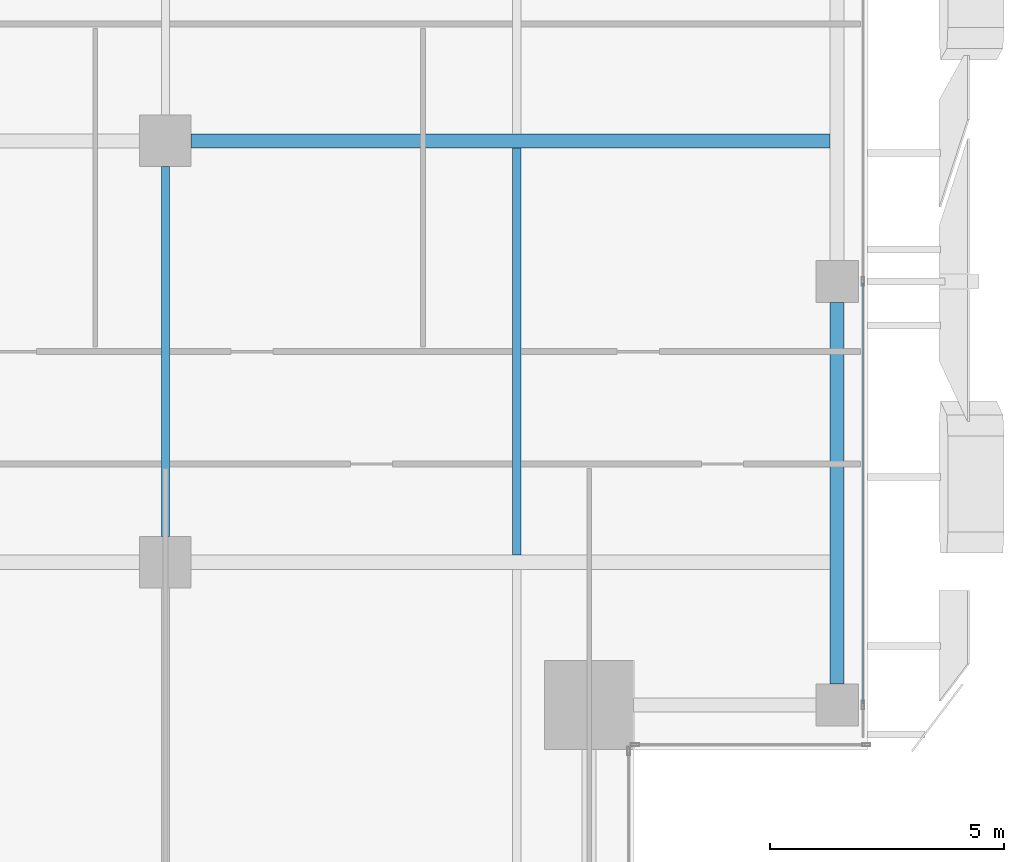
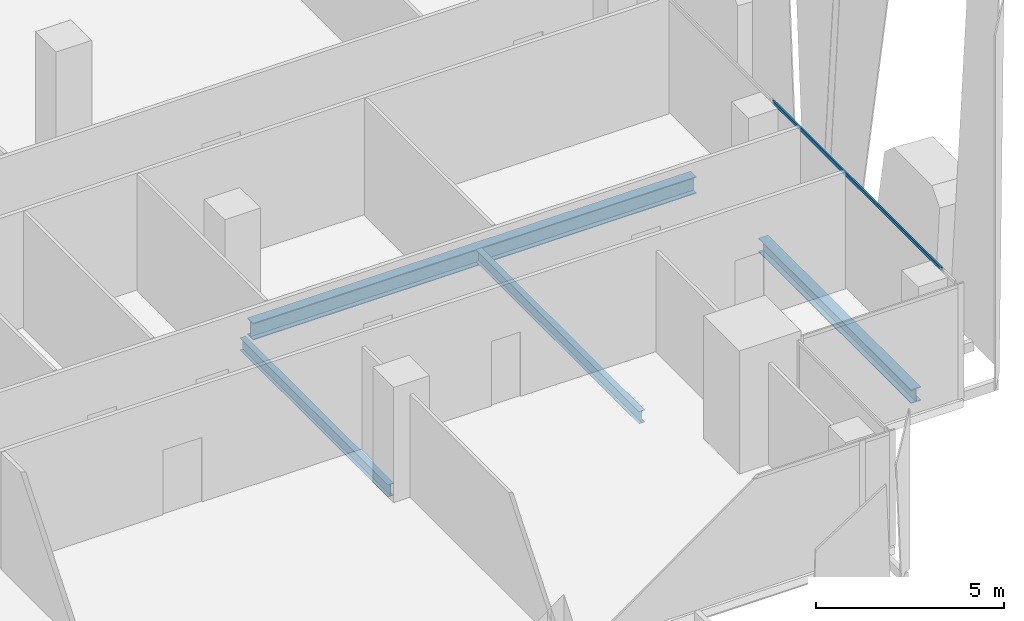
# One storey, part 10 of 33: 4 beams, 1 member, 1 element without a shape of its own.
"""IFC4 building model written with IfcOpenShell, lengths in metres."""

import ifcopenshell
import ifcopenshell.guid

model = None  # the IFC model being written
_history = None  # IfcOwnerHistory: only IFC2X3 demands one
_inside = {}  # id of a spatial element -> (the spatial element, [elements in it])
_under = {}  # id of a project, library or spatial element -> (it, [spatial elements below it])
_declared = {}  # id of a project -> (the project, [libraries it declares])
_typed = {}  # id of a type object -> (the type object, [elements of that type])
_made_of = {}  # id of a material, layer set ... -> (it, [elements and type objects made of it])


def new_model(schema):
    """Start an empty IFC model of exactly this schema.

    Asked for "IFC4X3", IfcOpenShell would pick the latest addendum, in which some entities
    have other attributes; the version numbers below select the first issue.
    IFC2X3 requires an IfcOwnerHistory on every rooted entity: one is made here for all.
    """
    global model, _history
    if schema == "IFC4X3":
        model = ifcopenshell.file(schema_version=(4, 3, 0, 0))
    else:
        model = ifcopenshell.file(schema=schema)
    _inside.clear()
    _under.clear()
    _declared.clear()
    _typed.clear()
    _made_of.clear()
    _history = None
    if model.schema == "IFC2X3":
        org = make("IfcOrganization", Name="unknown")
        user = make(
            "IfcPersonAndOrganization",
            ThePerson=make("IfcPerson", FamilyName="unknown"),
            TheOrganization=org,
        )
        app = make(
            "IfcApplication",
            ApplicationDeveloper=org,
            Version="unknown",
            ApplicationFullName="unknown",
            ApplicationIdentifier="unknown",
        )
        _history = make(
            "IfcOwnerHistory",
            OwningUser=user,
            OwningApplication=app,
            ChangeAction="ADDED",
            CreationDate=0,
        )
    return model


def make(cls, **values):
    """One entity of the class cls with the attributes given. An attribute that is None is left unset."""
    return model.create_entity(
        cls, **{name: value for name, value in values.items() if value is not None}
    )


def rooted(cls, **values):
    """An entity with a GlobalId (a new one), such as an element, a storey or a relation."""
    return make(cls, GlobalId=ifcopenshell.guid.new(), OwnerHistory=_history, **values)


def si_unit(unit_type, name, prefix=None):
    """IfcSIUnit, for example si_unit("LENGTHUNIT", "METRE", prefix="MILLI")."""
    return make("IfcSIUnit", UnitType=unit_type, Prefix=prefix, Name=name)


def assignment(units):
    """IfcUnitAssignment: the units of a project."""
    return None if units is None else make("IfcUnitAssignment", Units=units)


def point(xyz):
    """IfcCartesianPoint."""
    return None if xyz is None else make("IfcCartesianPoint", Coordinates=xyz)


def direction(xyz):
    """IfcDirection."""
    return None if xyz is None else make("IfcDirection", DirectionRatios=xyz)


def frame(location, z_axis=None, x_axis=None):
    """IfcAxis2Placement3D, a coordinate frame: its origin and axes. An axis left out is left unset."""
    return make(
        "IfcAxis2Placement3D",
        Location=point(location),
        Axis=direction(z_axis),
        RefDirection=direction(x_axis),
    )


def frame_2d(location, x_axis=None):
    """IfcAxis2Placement2D, a coordinate frame in the plane: its origin and x axis."""
    return make(
        "IfcAxis2Placement2D", Location=point(location), RefDirection=direction(x_axis)
    )


def origin():
    """The frame at (0, 0, 0) with its axes left unset."""
    return frame((0.0, 0.0, 0.0))


def origin_2d():
    """The frame at (0, 0) in the plane with its x axis left unset."""
    return frame_2d((0.0, 0.0))


def place(relative_to, where):
    """IfcLocalPlacement: puts the frame where relative to a parent placement (None: the world)."""
    return make(
        "IfcLocalPlacement", PlacementRelTo=relative_to, RelativePlacement=where
    )


def context(
    kind, dimensions, precision=None, world=None, true_north=None, identifier=None
):
    """IfcGeometricRepresentationContext, for example the 3D "Model" context."""
    return make(
        "IfcGeometricRepresentationContext",
        ContextIdentifier=identifier,
        ContextType=kind,
        CoordinateSpaceDimension=dimensions,
        Precision=precision,
        WorldCoordinateSystem=world,
        TrueNorth=true_north,
    )


def subcontext(parent, identifier, kind, view, scale=None):
    """IfcGeometricRepresentationSubContext, for example "Body" below "Model"."""
    return make(
        "IfcGeometricRepresentationSubContext",
        ContextIdentifier=identifier,
        ContextType=kind,
        ParentContext=parent,
        TargetScale=scale,
        TargetView=view,
    )


def project(units=None, contexts=None):
    """IfcProject with its units and contexts."""
    return rooted(
        "IfcProject",
        Name="project",
        RepresentationContexts=contexts,
        UnitsInContext=assignment(units),
    )


def spatial(cls, under=None, at=None, **own):
    """A site, building, storey or space (cls), placed at a placement, below another one or the project."""
    s = rooted(cls, ObjectPlacement=at, **own)
    if under is not None:
        _under.setdefault(under.id(), (under, []))[1].append(s)
    return s


def profile(cls, at=None, kind="AREA", **sizes):
    """A parametric profile (cls). Its sizes go by their IFC names, for example OverallWidth=200.0."""
    return make(cls, ProfileType=kind, Position=at, **sizes)


def hollow_rectangle(**sizes):
    """IfcRectangleHollowProfileDef."""
    return profile("IfcRectangleHollowProfileDef", **sizes)


def i_section(**sizes):
    """IfcIShapeProfileDef."""
    return profile("IfcIShapeProfileDef", **sizes)


def extrude(swept, where, along, depth):
    """IfcExtrudedAreaSolid: the profile swept, set in the frame where, extruded along a direction by depth."""
    return make(
        "IfcExtrudedAreaSolid",
        SweptArea=swept,
        Position=where,
        ExtrudedDirection=direction(along),
        Depth=depth,
    )


def shape(context_of_items, identifier, shape_type, items):
    """IfcShapeRepresentation: the items that make up one representation, for example the "Body"."""
    return make(
        "IfcShapeRepresentation",
        ContextOfItems=context_of_items,
        RepresentationIdentifier=identifier,
        RepresentationType=shape_type,
        Items=items,
    )


def source(mapping_origin, context_of_items, identifier, shape_type, items):
    """IfcRepresentationMap: a shape defined once, which mapped items show again and again."""
    return make(
        "IfcRepresentationMap",
        MappingOrigin=mapping_origin,
        MappedRepresentation=shape(context_of_items, identifier, shape_type, items),
    )


def transform(
    local_origin,
    x_axis=None,
    y_axis=None,
    z_axis=None,
    scale=None,
    scale2=None,
    scale3=None,
    uniform=True,
):
    """IfcCartesianTransformationOperator3D, or its non-uniform kind. x_axis, y_axis, z_axis: its Axis1, 2, 3."""
    if uniform:
        return make(
            "IfcCartesianTransformationOperator3D",
            Axis1=direction(x_axis),
            Axis2=direction(y_axis),
            LocalOrigin=point(local_origin),
            Scale=scale,
            Axis3=direction(z_axis),
        )
    return make(
        "IfcCartesianTransformationOperator3DnonUniform",
        Axis1=direction(x_axis),
        Axis2=direction(y_axis),
        LocalOrigin=point(local_origin),
        Scale=scale,
        Axis3=direction(z_axis),
        Scale2=scale2,
        Scale3=scale3,
    )


def mapped(mapping_source, mapping_target):
    """IfcMappedItem: shows the shape of a source again, moved by a transform."""
    return make(
        "IfcMappedItem", MappingSource=mapping_source, MappingTarget=mapping_target
    )


def material(Name=None, Category=None):
    """IfcMaterial."""
    return make("IfcMaterial", Name=Name, Category=Category)


def material_profile(
    of_material, cross_section, Name=None, Category=None, Priority=None
):
    """IfcMaterialProfile: a cross section and its material."""
    return make(
        "IfcMaterialProfile",
        Name=Name,
        Material=of_material,
        Profile=cross_section,
        Priority=Priority,
        Category=Category,
    )


def profile_set(profiles, Name=None, composite=None):
    """IfcMaterialProfileSet."""
    return make(
        "IfcMaterialProfileSet",
        Name=Name,
        MaterialProfiles=profiles,
        CompositeProfile=composite,
    )


def made_of(thing, what):
    """Note that an element or type object is made of a material, layer set ...; save() writes the relation."""
    if what is not None:
        _made_of.setdefault(what.id(), (what, []))[1].append(thing)
    return thing


def type_object(cls, material=None, **own):
    """A type object (cls), such as IfcWallType, which elements share."""
    return made_of(rooted(cls, **own), material)


def element(
    cls,
    number,
    at=None,
    inside=None,
    cuts=None,
    type_object=None,
    material=None,
    context=None,
    identifier="Body",
    shape_type=None,
    held_by="IfcProductDefinitionShape",
    body=None,
    shapes=None,
    **own,
):
    """One element of the class cls, such as IfcWall. Its Tag is "e" and its number.

    at: its placement. inside: the storey or other place that contains it. cuts: it is an
    opening in that element (IfcRelVoidsElement). A single representation is given by context,
    identifier, shape_type and body (its items); several are given by shapes. held_by: the class
    of the entity that holds the representations. save() writes the other relations.
    """
    e = rooted(cls, Tag="e%d" % number, ObjectPlacement=at, **own)
    if body is not None:
        shapes = [shape(context, identifier, shape_type, body)]
    if shapes is not None:
        e.Representation = make(held_by, Representations=shapes)
    if inside is not None:
        _inside.setdefault(inside.id(), (inside, []))[1].append(e)
    if cuts is not None:
        rooted(
            "IfcRelVoidsElement", RelatingBuildingElement=cuts, RelatedOpeningElement=e
        )
    if type_object is not None:
        _typed.setdefault(type_object.id(), (type_object, []))[1].append(e)
    return made_of(e, material)


def aggregate(whole, parts):
    """IfcRelAggregates: a whole, such as a stair, and the parts it consists of."""
    return rooted("IfcRelAggregates", RelatingObject=whole, RelatedObjects=parts)


def save(model, path):
    """Write the relations noted so far, then the file.

    IfcRelAggregates (storeys below a building ...), IfcRelContainedInSpatialStructure (elements
    in a storey), IfcRelDefinesByType, IfcRelAssociatesMaterial and IfcRelDeclares: one each for
    every whole, place, type object, material and project.
    """
    for whole, parts in _under.values():
        aggregate(whole, parts)
    for where, things in _inside.values():
        rooted(
            "IfcRelContainedInSpatialStructure",
            RelatedElements=things,
            RelatingStructure=where,
        )
    for kind, things in _typed.values():
        rooted("IfcRelDefinesByType", RelatedObjects=things, RelatingType=kind)
    for what, things in _made_of.values():
        rooted("IfcRelAssociatesMaterial", RelatedObjects=things, RelatingMaterial=what)
    for by, libraries in _declared.values():
        rooted("IfcRelDeclares", RelatingContext=by, RelatedDefinitions=libraries)
    model.write(path)


model = new_model("IFC4")

# Units and contexts
model_context = context("Model", 3, precision=1e-05, world=origin(), true_north=direction((0.0, 1.0)))
body_context = subcontext(model_context, "Body", "Model", "MODEL_VIEW")
ifc_project = project(units=[si_unit("LENGTHUNIT", "METRE"), si_unit("AREAUNIT", "SQUARE_METRE"), si_unit("VOLUMEUNIT", "CUBIC_METRE"), si_unit("PLANEANGLEUNIT", "RADIAN"), si_unit("MASSUNIT", "GRAM", prefix="KILO")], contexts=[model_context])

# Site, building, storey
site_placement = place(None, origin())
site = spatial("IfcSite", under=ifc_project, at=site_placement, CompositionType="ELEMENT")
building_placement = place(site_placement, origin())
building = spatial("IfcBuilding", under=site, at=building_placement, Name="Khomas Fold Tower", CompositionType="ELEMENT")
storey_placement = place(building_placement, frame((0.0, 0.0, 234.199951171875)))
storey = spatial("IfcBuildingStorey", under=building, at=storey_placement, Name="L52", CompositionType="ELEMENT", Elevation=234.199951171875)

# Beams
ifc_material_1 = material(Name="Steel S355", Category="steel")
ifc_material_profile_1 = material_profile(ifc_material_1, i_section(OverallWidth=0.179931640625, OverallDepth=0.39990234375, WebThickness=0.008544921875, FlangeThickness=0.013427734375, at=origin_2d()), Name="IPE 400")
ifc_profile_set_1 = profile_set([ifc_material_profile_1], Name="Steel S355")
beam_type_1 = type_object("IfcBeamType", Name="IPE 400 beam JB3", PredefinedType="BEAM", material=ifc_profile_set_1)
shared_shape_1 = source(origin(), body_context, "Body", "SweptSolid", [
    extrude(i_section(OverallWidth=0.179931640625, OverallDepth=0.39990234375, WebThickness=0.008544921875, FlangeThickness=0.013427734375, at=origin_2d()), origin(), (0.0, 0.0, 1.0), 8.7001953125),
])
beam_1_placement = place(storey_placement, frame((42.0, 13.64990234375, -0.449951171875), z_axis=(0.0, 1.0, 0.0), x_axis=(-1.0, 0.0, 0.0)))
element("IfcBeam", 1, at=beam_1_placement, inside=storey, type_object=beam_type_1, Name="JB3", PredefinedType="BEAM", context=body_context, shape_type="MappedRepresentation", body=[
    mapped(shared_shape_1, transform((0.0, 0.0, 0.0))),
])
ifc_material_2 = material(Name="Steel S355", Category="steel")
ifc_material_profile_2 = material_profile(ifc_material_2, i_section(OverallWidth=0.300048828125, OverallDepth=0.449951171875, WebThickness=0.013916015625, FlangeThickness=0.02587890625, at=origin_2d()), Name="HE 450 B")
ifc_profile_set_2 = profile_set([ifc_material_profile_2], Name="Steel S355")
beam_type_2 = type_object("IfcBeamType", Name="HE 450 B spandrel SB4", PredefinedType="SPANDREL", material=ifc_profile_set_2)
shared_shape_2 = source(origin(), body_context, "Body", "SweptSolid", [
    extrude(i_section(OverallWidth=0.300048828125, OverallDepth=0.449951171875, WebThickness=0.013916015625, FlangeThickness=0.02587890625, at=origin_2d()), origin(), (0.0, 0.0, 1.0), 8.150146484375),
])
beam_2_placement = place(storey_placement, frame((48.85009765625, 10.89990234375, -0.474853515625), z_axis=(0.0, 1.0, 0.0), x_axis=(-1.0, 0.0, 0.0)))
element("IfcBeam", 2, at=beam_2_placement, inside=storey, type_object=beam_type_2, Name="SB4", PredefinedType="SPANDREL", context=body_context, shape_type="MappedRepresentation", body=[
    mapped(shared_shape_2, transform((0.0, 0.0, 0.0))),
])
ifc_material_3 = material(Name="Steel S355", Category="steel")
ifc_material_profile_3 = material_profile(ifc_material_3, i_section(OverallWidth=0.300048828125, OverallDepth=0.550048828125, WebThickness=0.014892578125, FlangeThickness=0.029052734375, at=origin_2d()), Name="HE 550 B")
ifc_profile_set_3 = profile_set([ifc_material_profile_3], Name="Steel S355")
beam_type_3 = type_object("IfcBeamType", Name="HE 550 B beam GB4", PredefinedType="BEAM", material=ifc_profile_set_3)
shared_shape_3 = source(origin(), body_context, "Body", "SweptSolid", [
    extrude(i_section(OverallWidth=0.300048828125, OverallDepth=0.550048828125, WebThickness=0.014892578125, FlangeThickness=0.029052734375, at=origin_2d()), origin(), (0.0, 0.0, 1.0), 13.64990234375),
])
beam_3_placement = place(storey_placement, frame((35.050048828125, 22.5, -0.52490234375), z_axis=(1.0, 0.0, 0.0), x_axis=(0.0, 1.0, 0.0)))
element("IfcBeam", 3, at=beam_3_placement, inside=storey, type_object=beam_type_3, Name="GB4", PredefinedType="BEAM", context=body_context, shape_type="MappedRepresentation", body=[
    mapped(shared_shape_3, transform((0.0, 0.0, 0.0))),
])
shared_shape_4 = source(origin(), body_context, "Body", "SweptSolid", [
    extrude(i_section(OverallWidth=0.179931640625, OverallDepth=0.39990234375, WebThickness=0.008544921875, FlangeThickness=0.013427734375, at=origin_2d()), origin(), (0.0, 0.0, 1.0), 7.89990234375),
])
beam_4_placement = place(storey_placement, frame((34.5, 14.050048828125, -0.449951171875), z_axis=(0.0, 1.0, 0.0), x_axis=(-1.0, 0.0, 0.0)))
element("IfcBeam", 4, at=beam_4_placement, inside=storey, type_object=beam_type_1, Name="JB3", PredefinedType="BEAM", context=body_context, shape_type="MappedRepresentation", body=[
    mapped(shared_shape_4, transform((0.0, 0.0, 0.0))),
])

# Curtain wall, member
ifc_material_4 = material(Name="Aluminium framed double glazing", Category="aluminium")
curtain_wall_type = type_object("IfcCurtainWallType", Name="SK-Unitised clear-glass wall, office floors CW2", PredefinedType="NOTDEFINED", material=ifc_material_4)
curtain_wall_placement = place(storey_placement, origin())
curtain_wall = element("IfcCurtainWall", 5, at=curtain_wall_placement, inside=storey, type_object=curtain_wall_type, Name="CW2 run L52 03-0", PredefinedType="NOTDEFINED")
ifc_material_5 = material(Name="Aluminium", Category="aluminium")
ifc_material_profile_4 = material_profile(ifc_material_5, hollow_rectangle(XDim=0.050048828125, YDim=0.110107421875, WallThickness=0.00390625, at=origin_2d()), Name="SK-Unitised clear-glass wall, office floors transom CW2-T")
ifc_profile_set_4 = profile_set([ifc_material_profile_4], Name="Aluminium")
member_type = type_object("IfcMemberType", Name="SK-Unitised clear-glass wall, office floors transom CW2-T", PredefinedType="USERDEFINED", material=ifc_profile_set_4)
shared_shape_5 = source(origin(), body_context, "Body", "SweptSolid", [
    extrude(hollow_rectangle(XDim=0.050048828125, YDim=0.110107421875, WallThickness=0.00390625, at=origin_2d()), origin(), (0.0, 0.0, 1.0), 8.989990234375),
])
member_placement = place(storey_placement, frame((49.39990234375, 10.47998046875, 3.695068359375), z_axis=(0.0, 1.0, 0.0), x_axis=(-1.0, 0.0, 0.0)))
member = element("IfcMember", 6, at=member_placement, type_object=member_type, Name="CW2 transom 2", ObjectType="TRANSOM", PredefinedType="USERDEFINED", context=body_context, shape_type="MappedRepresentation", body=[
    mapped(shared_shape_5, transform((0.0, 0.0, 0.0))),
])
aggregate(curtain_wall, [member])

save(model, "model.ifc")
